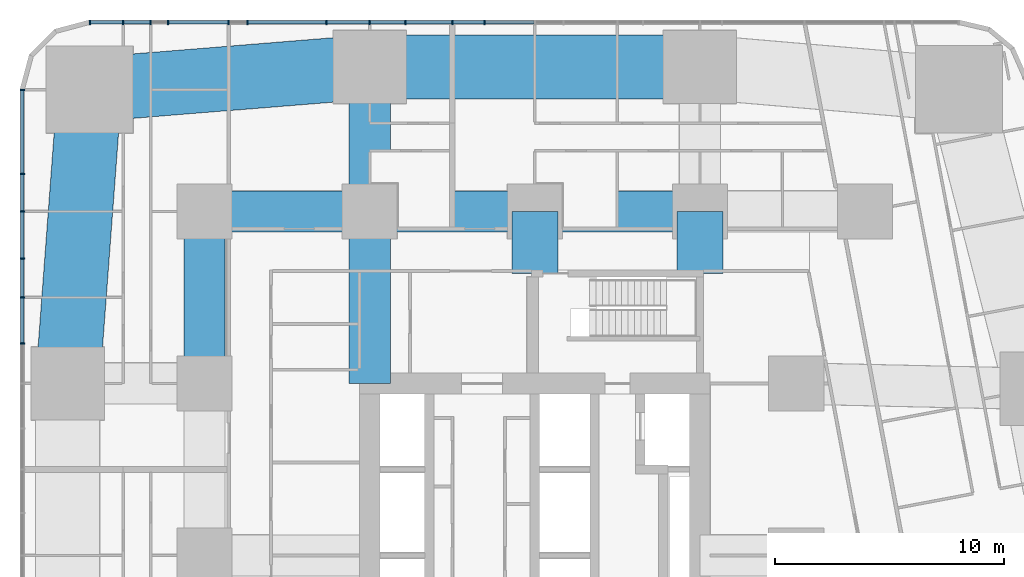
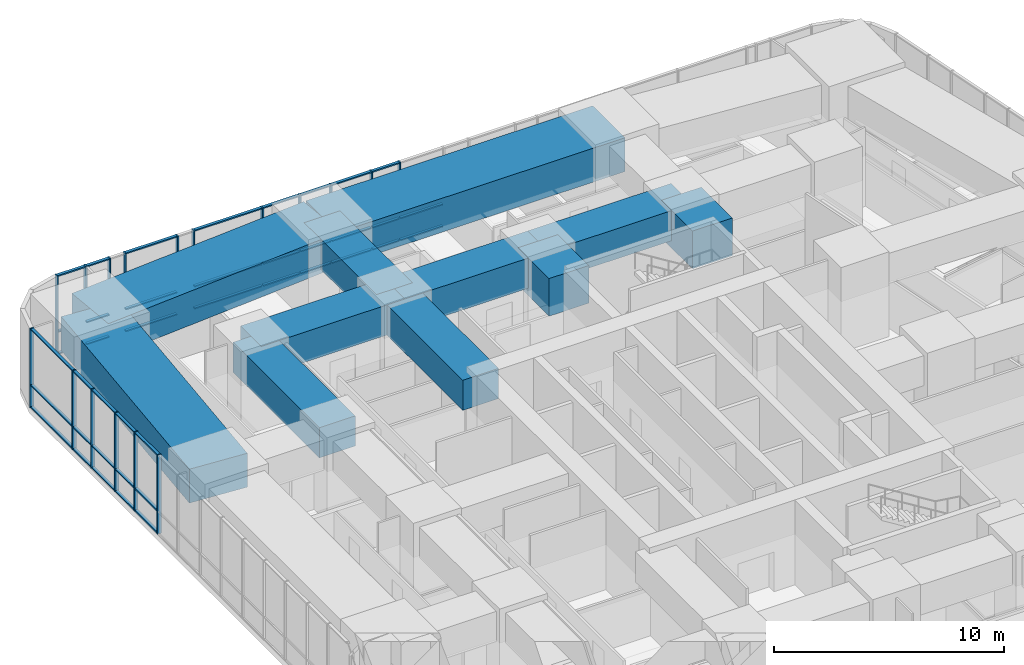
# One storey, part 7 of 23: 58 members, 11 beams, 2 elements without a shape of their own.
"""IFC4 building model written with IfcOpenShell, lengths in metres."""

from ifc_helpers import new_model, si_unit, direction, frame, origin, origin_2d, place, context, subcontext, project, spatial, rectangle, extrude, material, material_profile, profile_set, type_object, element, aggregate, save


model = new_model("IFC4")

# Units and contexts
model_context = context("Model", 3, precision=1e-05, world=origin(), true_north=direction((0.0, 1.0)))
body_context = subcontext(model_context, "Body", "Model", "MODEL_VIEW")
ifc_project = project(units=[si_unit("LENGTHUNIT", "METRE"), si_unit("AREAUNIT", "SQUARE_METRE"), si_unit("VOLUMEUNIT", "CUBIC_METRE"), si_unit("PLANEANGLEUNIT", "RADIAN"), si_unit("MASSUNIT", "GRAM", prefix="KILO")], contexts=[model_context])

# Site, building, storey
site_placement = place(None, origin())
site = spatial("IfcSite", under=ifc_project, at=site_placement, CompositionType="ELEMENT")
building_placement = place(site_placement, origin())
building = spatial("IfcBuilding", under=site, at=building_placement, Name="Sheger Commons Tower", CompositionType="ELEMENT")
storey_placement = place(building_placement, frame((0.0, 0.0, 5.60009765625)))
storey = spatial("IfcBuildingStorey", under=building, at=storey_placement, Name="L01", CompositionType="ELEMENT", Elevation=5.60009765625)

# Beams
ifc_material_1 = material(Name="Concrete C50/60", Category="concrete")
ifc_material_profile_1 = material_profile(ifc_material_1, rectangle(XDim=1.800048828125, YDim=1.60009765625, at=origin_2d()), Name="RC 1800x1600")
ifc_profile_set_1 = profile_set([ifc_material_profile_1], Name="Concrete C50/60")
beam_type_1 = type_object("IfcBeamType", Name="BEAM RC 1800x1600", PredefinedType="BEAM", material=ifc_profile_set_1)
beam_1_placement = place(storey_placement, frame((7.199951171875, 37.5, 3.39990234375), z_axis=(1.0, 0.0, 0.0), x_axis=(0.0, 1.0, 0.0)))
element("IfcBeam", 1, at=beam_1_placement, inside=storey, type_object=beam_type_1, Name="Beam 2/F-3/F under L02", PredefinedType="BEAM", context=body_context, shape_type="SweptSolid", body=[
    extrude(rectangle(XDim=1.800048828125, YDim=1.60009765625, at=origin_2d()), origin(), (0.0, 0.0, 1.0), 7.199951171875),
])
beam_2_placement = place(storey_placement, frame((14.39990234375, 37.5, 3.39990234375), z_axis=(1.0, 0.0, 0.0), x_axis=(0.0, 1.0, 0.0)))
element("IfcBeam", 2, at=beam_2_placement, inside=storey, type_object=beam_type_1, Name="Beam 3/F-4/F under L02", PredefinedType="BEAM", context=body_context, shape_type="SweptSolid", body=[
    extrude(rectangle(XDim=1.800048828125, YDim=1.60009765625, at=origin_2d()), origin(), (0.0, 0.0, 1.0), 7.2001953125),
])
beam_3_placement = place(storey_placement, frame((21.60009765625, 37.5, 3.39990234375), z_axis=(1.0, 0.0, 0.0), x_axis=(0.0, 1.0, 0.0)))
element("IfcBeam", 3, at=beam_3_placement, inside=storey, type_object=beam_type_1, Name="Beam 4/F-5/F under L02", PredefinedType="BEAM", context=body_context, shape_type="SweptSolid", body=[
    extrude(rectangle(XDim=1.800048828125, YDim=1.60009765625, at=origin_2d()), origin(), (0.0, 0.0, 1.0), 7.199951171875),
])
for number, where, z_axis, x_axis, name in (
    (4, (7.199951171875, 30.0, 3.39990234375), (0.0, 1.0, 0.0), (-1.0, 0.0, 0.0), "Beam 2/E-2/F under L02"),
    (5, (14.39990234375, 30.0, 3.39990234375), (0.0, 1.0, 0.0), (-1.0, 0.0, 0.0), "Beam 3/E-3/F under L02"),
):
    element("IfcBeam", number, at=place(storey_placement, frame(where, z_axis=z_axis, x_axis=x_axis)), inside=storey, type_object=beam_type_1, Name=name, PredefinedType="BEAM", context=body_context, shape_type="SweptSolid", body=[
        extrude(rectangle(XDim=1.800048828125, YDim=1.60009765625, at=origin_2d()), origin(), (0.0, 0.0, 1.0), 7.5),
    ])
beam_4_placement = place(storey_placement, frame((14.39990234375, 37.5, 3.39990234375), z_axis=(0.0, 1.0, 0.0), x_axis=(-1.0, 0.0, 0.0)))
element("IfcBeam", 6, at=beam_4_placement, inside=storey, type_object=beam_type_1, Name="Beam 3/F-3/G under L02", PredefinedType="BEAM", context=body_context, shape_type="SweptSolid", body=[
    extrude(rectangle(XDim=1.800048828125, YDim=1.60009765625, at=origin_2d()), origin(), (0.0, 0.0, 1.0), 6.300048828125),
])
ifc_material_2 = material(Name="Concrete C50/60", Category="concrete")
ifc_material_profile_2 = material_profile(ifc_material_2, rectangle(XDim=2.0, YDim=2.0, at=origin_2d()), Name="RC 2000x2000")
ifc_profile_set_2 = profile_set([ifc_material_profile_2], Name="Concrete C50/60")
beam_type_2 = type_object("IfcBeamType", Name="BEAM RC 2000x2000", PredefinedType="BEAM", material=ifc_profile_set_2)
for number, where, z_axis, x_axis, name in (
    (7, (21.60009765625, 34.800048828125, 3.199951171875), (0.0, 1.0, 0.0), (-1.0, 0.0, 0.0), "Beam 21.600,34.800-4/F under L02"),
    (8, (28.800048828125, 34.800048828125, 3.199951171875), (0.0, 1.0, 0.0), (-1.0, 0.0, 0.0), "Beam 28.800,34.800-5/F under L02"),
):
    element("IfcBeam", number, at=place(storey_placement, frame(where, z_axis=z_axis, x_axis=x_axis)), inside=storey, type_object=beam_type_2, Name=name, PredefinedType="BEAM", context=body_context, shape_type="SweptSolid", body=[
        extrude(rectangle(XDim=2.0, YDim=2.0, at=origin_2d()), origin(), (0.0, 0.0, 1.0), 2.699951171875),
    ])

# Curtain wall, members
ifc_material_3 = material(Name="Black aluminium curtain wall, dark tinted glazing", Category="aluminium")
curtain_wall_type = type_object("IfcCurtainWallType", Name="CURTAIN WALL CW2 HEALTH CENTRE", PredefinedType="USERDEFINED", material=ifc_material_3)
curtain_wall_1_placement = place(storey_placement, origin())
curtain_wall_1 = element("IfcCurtainWall", 9, at=curtain_wall_1_placement, inside=storey, type_object=curtain_wall_type, Name="Curtain Wall Cw2 Health Centre N1 L01", ObjectType="STICK CURTAIN WALL", PredefinedType="USERDEFINED")
ifc_material_4 = material(Name="Black anodised aluminium", Category="aluminium")
ifc_material_profile_3 = material_profile(ifc_material_4, rectangle(XDim=0.199951171875, YDim=0.06494140625, at=origin_2d()), Name="AL 65x200")
ifc_profile_set_3 = profile_set([ifc_material_profile_3], Name="Black anodised aluminium")
member_type_1 = type_object("IfcMemberType", Name="MULLION AL 65x200", PredefinedType="MULLION", material=ifc_profile_set_3)
member_1_placement = place(storey_placement, frame((19.409912109375, 45.75, 0.0), z_axis=(0.0, 0.0, 1.0), x_axis=(0.0, -1.0, 0.0)))
member_1 = element("IfcMember", 10, at=member_1_placement, type_object=member_type_1, Name="CW2 mullion 12", PredefinedType="MULLION", context=body_context, shape_type="SweptSolid", body=[
    extrude(rectangle(XDim=0.199951171875, YDim=0.06494140625, at=origin_2d()), origin(), (0.0, 0.0, 1.0), 4.199951171875),
])
member_2_placement = place(storey_placement, frame((18.0, 45.75, 0.0), z_axis=(0.0, 0.0, 1.0), x_axis=(0.0, -1.0, 0.0)))
member_2 = element("IfcMember", 11, at=member_2_placement, type_object=member_type_1, Name="CW2 mullion 13", PredefinedType="MULLION", context=body_context, shape_type="SweptSolid", body=[
    extrude(rectangle(XDim=0.199951171875, YDim=0.06494140625, at=origin_2d()), origin(), (0.0, 0.0, 1.0), 4.199951171875),
])
member_3_placement = place(storey_placement, frame((15.9599609375, 45.75, 0.0), z_axis=(0.0, 0.0, 1.0), x_axis=(0.0, -1.0, 0.0)))
member_3 = element("IfcMember", 12, at=member_3_placement, type_object=member_type_1, Name="CW2 mullion 14", PredefinedType="MULLION", context=body_context, shape_type="SweptSolid", body=[
    extrude(rectangle(XDim=0.199951171875, YDim=0.06494140625, at=origin_2d()), origin(), (0.0, 0.0, 1.0), 4.199951171875),
])
member_4_placement = place(storey_placement, frame((14.39990234375, 45.75, 0.0), z_axis=(0.0, 0.0, 1.0), x_axis=(0.0, -1.0, 0.0)))
member_4 = element("IfcMember", 13, at=member_4_placement, type_object=member_type_1, Name="CW2 mullion 15", PredefinedType="MULLION", context=body_context, shape_type="SweptSolid", body=[
    extrude(rectangle(XDim=0.199951171875, YDim=0.06494140625, at=origin_2d()), origin(), (0.0, 0.0, 1.0), 4.199951171875),
])
member_5_placement = place(storey_placement, frame((12.510986328125, 45.75, 0.0), z_axis=(0.0, 0.0, 1.0), x_axis=(0.0, -1.0, 0.0)))
member_5 = element("IfcMember", 14, at=member_5_placement, type_object=member_type_1, Name="CW2 mullion 16", PredefinedType="MULLION", context=body_context, shape_type="SweptSolid", body=[
    extrude(rectangle(XDim=0.199951171875, YDim=0.06494140625, at=origin_2d()), origin(), (0.0, 0.0, 1.0), 4.199951171875),
])
member_6_placement = place(storey_placement, frame((9.06201171875, 45.75, 0.0), z_axis=(0.0, 0.0, 1.0), x_axis=(0.0, -1.0, 0.0)))
member_6 = element("IfcMember", 15, at=member_6_placement, type_object=member_type_1, Name="CW2 mullion 17", PredefinedType="MULLION", context=body_context, shape_type="SweptSolid", body=[
    extrude(rectangle(XDim=0.199951171875, YDim=0.06494140625, at=origin_2d()), origin(), (0.0, 0.0, 1.0), 4.199951171875),
])
member_7_placement = place(storey_placement, frame((8.25, 45.75, 0.0), z_axis=(0.0, 0.0, 1.0), x_axis=(0.0, -1.0, 0.0)))
member_7 = element("IfcMember", 16, at=member_7_placement, type_object=member_type_1, Name="CW2 mullion 18", PredefinedType="MULLION", context=body_context, shape_type="SweptSolid", body=[
    extrude(rectangle(XDim=0.199951171875, YDim=0.06494140625, at=origin_2d()), origin(), (0.0, 0.0, 1.0), 4.199951171875),
])
member_8_placement = place(storey_placement, frame((5.612060546875, 45.75, 0.0), z_axis=(0.0, 0.0, 1.0), x_axis=(0.0, -1.0, 0.0)))
member_8 = element("IfcMember", 17, at=member_8_placement, type_object=member_type_1, Name="CW2 mullion 19", PredefinedType="MULLION", context=body_context, shape_type="SweptSolid", body=[
    extrude(rectangle(XDim=0.199951171875, YDim=0.06494140625, at=origin_2d()), origin(), (0.0, 0.0, 1.0), 4.199951171875),
])
member_9_placement = place(storey_placement, frame((4.85009765625, 45.75, 0.0), z_axis=(0.0, 0.0, 1.0), x_axis=(0.0, -1.0, 0.0)))
member_9 = element("IfcMember", 18, at=member_9_placement, type_object=member_type_1, Name="CW2 mullion 20", PredefinedType="MULLION", context=body_context, shape_type="SweptSolid", body=[
    extrude(rectangle(XDim=0.199951171875, YDim=0.06494140625, at=origin_2d()), origin(), (0.0, 0.0, 1.0), 4.199951171875),
])
member_10_placement = place(storey_placement, frame((3.64990234375, 45.75, 0.0), z_axis=(0.0, 0.0, 1.0), x_axis=(0.0, -1.0, 0.0)))
member_10 = element("IfcMember", 19, at=member_10_placement, type_object=member_type_1, Name="CW2 mullion 21", PredefinedType="MULLION", context=body_context, shape_type="SweptSolid", body=[
    extrude(rectangle(XDim=0.199951171875, YDim=0.06494140625, at=origin_2d()), origin(), (0.0, 0.0, 1.0), 4.199951171875),
])
member_11_placement = place(storey_placement, frame((2.195556640625, 45.75, 0.0), z_axis=(0.0, 0.0, 1.0), x_axis=(0.0, -1.0, 0.0)))
member_11 = element("IfcMember", 20, at=member_11_placement, type_object=member_type_1, Name="CW2 mullion 22", PredefinedType="MULLION", context=body_context, shape_type="SweptSolid", body=[
    extrude(rectangle(XDim=0.199951171875, YDim=0.06494140625, at=origin_2d()), origin(), (0.0, 0.0, 1.0), 4.199951171875),
])

curtain_wall_2_placement = place(storey_placement, origin())
curtain_wall_2 = element("IfcCurtainWall", 21, at=curtain_wall_2_placement, inside=storey, type_object=curtain_wall_type, Name="Curtain Wall Cw2 Health Centre W1 L01", ObjectType="STICK CURTAIN WALL", PredefinedType="USERDEFINED")
member_12_placement = place(storey_placement, frame((-0.75, 42.804443359375, 0.0), z_axis=(0.0, 0.0, 1.0), x_axis=(1.0, 0.0, 0.0)))
member_12 = element("IfcMember", 22, at=member_12_placement, type_object=member_type_1, Name="CW2 mullion 1", PredefinedType="MULLION", context=body_context, shape_type="SweptSolid", body=[
    extrude(rectangle(XDim=0.199951171875, YDim=0.06494140625, at=origin_2d()), origin(), (0.0, 0.0, 1.0), 4.199951171875),
])
member_13_placement = place(storey_placement, frame((-0.75, 39.138916015625, 0.0), z_axis=(0.0, 0.0, 1.0), x_axis=(1.0, 0.0, 0.0)))
member_13 = element("IfcMember", 23, at=member_13_placement, type_object=member_type_1, Name="CW2 mullion 2", PredefinedType="MULLION", context=body_context, shape_type="SweptSolid", body=[
    extrude(rectangle(XDim=0.199951171875, YDim=0.06494140625, at=origin_2d()), origin(), (0.0, 0.0, 1.0), 4.199951171875),
])
member_14_placement = place(storey_placement, frame((-0.75, 37.5, 0.0), z_axis=(0.0, 0.0, 1.0), x_axis=(1.0, 0.0, 0.0)))
member_14 = element("IfcMember", 24, at=member_14_placement, type_object=member_type_1, Name="CW2 mullion 3", PredefinedType="MULLION", context=body_context, shape_type="SweptSolid", body=[
    extrude(rectangle(XDim=0.199951171875, YDim=0.06494140625, at=origin_2d()), origin(), (0.0, 0.0, 1.0), 4.199951171875),
])
member_15_placement = place(storey_placement, frame((-0.75, 35.44189453125, 0.0), z_axis=(0.0, 0.0, 1.0), x_axis=(1.0, 0.0, 0.0)))
member_15 = element("IfcMember", 25, at=member_15_placement, type_object=member_type_1, Name="CW2 mullion 4", PredefinedType="MULLION", context=body_context, shape_type="SweptSolid", body=[
    extrude(rectangle(XDim=0.199951171875, YDim=0.06494140625, at=origin_2d()), origin(), (0.0, 0.0, 1.0), 4.199951171875),
])
member_16_placement = place(storey_placement, frame((-0.75, 33.75, 0.0), z_axis=(0.0, 0.0, 1.0), x_axis=(1.0, 0.0, 0.0)))
member_16 = element("IfcMember", 26, at=member_16_placement, type_object=member_type_1, Name="CW2 mullion 5", PredefinedType="MULLION", context=body_context, shape_type="SweptSolid", body=[
    extrude(rectangle(XDim=0.199951171875, YDim=0.06494140625, at=origin_2d()), origin(), (0.0, 0.0, 1.0), 4.199951171875),
])
member_17_placement = place(storey_placement, frame((-0.75, 31.743896484375, 0.0), z_axis=(0.0, 0.0, 1.0), x_axis=(1.0, 0.0, 0.0)))
member_17 = element("IfcMember", 27, at=member_17_placement, type_object=member_type_1, Name="CW2 mullion 6", PredefinedType="MULLION", context=body_context, shape_type="SweptSolid", body=[
    extrude(rectangle(XDim=0.199951171875, YDim=0.06494140625, at=origin_2d()), origin(), (0.0, 0.0, 1.0), 4.199951171875),
])

# Beams
ifc_material_5 = material(Name="Concrete C50/60", Category="concrete")
ifc_material_profile_4 = material_profile(ifc_material_5, rectangle(XDim=2.800048828125, YDim=1.800048828125, at=origin_2d()), Name="RC 2800x1800")
ifc_profile_set_4 = profile_set([ifc_material_profile_4], Name="Concrete C50/60")
beam_type_3 = type_object("IfcBeamType", Name="SPANDREL RC 2800x1800", PredefinedType="SPANDREL", material=ifc_profile_set_4)
beam_5_placement = place(storey_placement, frame((28.800048828125, 43.800048828125, 3.2998046875), z_axis=(-1.0, 0.0, 0.0), x_axis=(0.0, -1.0, 0.0)))
element("IfcBeam", 28, at=beam_5_placement, inside=storey, type_object=beam_type_3, Name="Beam 5/G-3/G under L02", PredefinedType="SPANDREL", context=body_context, shape_type="SweptSolid", body=[
    extrude(rectangle(XDim=2.800048828125, YDim=1.800048828125, at=origin_2d()), origin(), (0.0, 0.0, 1.0), 14.400146484375),
])
beam_6_placement = place(storey_placement, frame((14.39990234375, 43.800048828125, 3.2998046875), z_axis=(-0.996756793053, -0.080472948891, 0.0), x_axis=(0.080472948891, -0.996756793053, 0.0)))
element("IfcBeam", 29, at=beam_6_placement, inside=storey, type_object=beam_type_3, Name="Beam 3/G-0.630,44.370 under L02", PredefinedType="SPANDREL", context=body_context, shape_type="SweptSolid", body=[
    extrude(rectangle(XDim=2.800048828125, YDim=1.800048828125, at=origin_2d()), origin(), (0.0, 0.0, 1.0), 12.253662109375),
])
beam_7_placement = place(storey_placement, frame((2.18603515625, 42.81396484375, 3.2998046875), z_axis=(-0.074781446354, -0.997199947494, 0.0), x_axis=(0.997199947494, -0.074781446354, 0.0)))
element("IfcBeam", 30, at=beam_7_placement, inside=storey, type_object=beam_type_3, Name="Beam 0.630,44.370-1/E under L02", PredefinedType="SPANDREL", context=body_context, shape_type="SweptSolid", body=[
    extrude(rectangle(XDim=2.800048828125, YDim=1.800048828125, at=origin_2d()), origin(), (0.0, 0.0, 1.0), 12.849853515625),
])

# Member
ifc_material_6 = material(Name="Black anodised aluminium", Category="aluminium")
ifc_material_profile_5 = material_profile(ifc_material_6, rectangle(XDim=0.14990234375, YDim=0.06494140625, at=origin_2d()), Name="AL 65x150")
ifc_profile_set_5 = profile_set([ifc_material_profile_5], Name="Black anodised aluminium")
member_type_2 = type_object("IfcMemberType", Name="TRANSOM AL 65x150", PredefinedType="USERDEFINED", material=ifc_profile_set_5)
member_18_placement = place(storey_placement, frame((21.5673828125, 45.75, 0.032470703125), z_axis=(-1.0, 0.0, 0.0), x_axis=(0.0, -1.0, 0.0)))
member_18 = element("IfcMember", 31, at=member_18_placement, type_object=member_type_2, Name="CW2 transom 11.1", ObjectType="TRANSOM", PredefinedType="USERDEFINED", context=body_context, shape_type="SweptSolid", body=[
    extrude(rectangle(XDim=0.14990234375, YDim=0.06494140625, at=origin_2d()), origin(), (0.0, 0.0, 1.0), 2.125),
])

member_19_placement = place(storey_placement, frame((21.5673828125, 45.75, 1.199951171875), z_axis=(-1.0, 0.0, 0.0), x_axis=(0.0, -1.0, 0.0)))
member_19 = element("IfcMember", 32, at=member_19_placement, type_object=member_type_2, Name="CW2 transom 11.2", ObjectType="TRANSOM", PredefinedType="USERDEFINED", context=body_context, shape_type="SweptSolid", body=[
    extrude(rectangle(XDim=0.14990234375, YDim=0.06494140625, at=origin_2d()), origin(), (0.0, 0.0, 1.0), 2.125),
])

member_20_placement = place(storey_placement, frame((19.37744140625, 45.75, 0.032470703125), z_axis=(-1.0, 0.0, 0.0), x_axis=(0.0, -1.0, 0.0)))
member_20 = element("IfcMember", 33, at=member_20_placement, type_object=member_type_2, Name="CW2 transom 12.1", ObjectType="TRANSOM", PredefinedType="USERDEFINED", context=body_context, shape_type="SweptSolid", body=[
    extrude(rectangle(XDim=0.14990234375, YDim=0.06494140625, at=origin_2d()), origin(), (0.0, 0.0, 1.0), 1.344970703125),
])

member_21_placement = place(storey_placement, frame((19.37744140625, 45.75, 1.199951171875), z_axis=(-1.0, 0.0, 0.0), x_axis=(0.0, -1.0, 0.0)))
member_21 = element("IfcMember", 34, at=member_21_placement, type_object=member_type_2, Name="CW2 transom 12.2", ObjectType="TRANSOM", PredefinedType="USERDEFINED", context=body_context, shape_type="SweptSolid", body=[
    extrude(rectangle(XDim=0.14990234375, YDim=0.06494140625, at=origin_2d()), origin(), (0.0, 0.0, 1.0), 1.344970703125),
])

member_22_placement = place(storey_placement, frame((19.37744140625, 45.75, 4.16748046875), z_axis=(-1.0, 0.0, 0.0), x_axis=(0.0, -1.0, 0.0)))
member_22 = element("IfcMember", 35, at=member_22_placement, type_object=member_type_2, Name="CW2 transom 12.3", ObjectType="TRANSOM", PredefinedType="USERDEFINED", context=body_context, shape_type="SweptSolid", body=[
    extrude(rectangle(XDim=0.14990234375, YDim=0.06494140625, at=origin_2d()), origin(), (0.0, 0.0, 1.0), 1.344970703125),
])

member_23_placement = place(storey_placement, frame((17.967529296875, 45.75, 0.032470703125), z_axis=(-1.0, 0.0, 0.0), x_axis=(0.0, -1.0, 0.0)))
member_23 = element("IfcMember", 36, at=member_23_placement, type_object=member_type_2, Name="CW2 transom 13.1", ObjectType="TRANSOM", PredefinedType="USERDEFINED", context=body_context, shape_type="SweptSolid", body=[
    extrude(rectangle(XDim=0.14990234375, YDim=0.06494140625, at=origin_2d()), origin(), (0.0, 0.0, 1.0), 1.97509765625),
])

member_24_placement = place(storey_placement, frame((17.967529296875, 45.75, 1.199951171875), z_axis=(-1.0, 0.0, 0.0), x_axis=(0.0, -1.0, 0.0)))
member_24 = element("IfcMember", 37, at=member_24_placement, type_object=member_type_2, Name="CW2 transom 13.2", ObjectType="TRANSOM", PredefinedType="USERDEFINED", context=body_context, shape_type="SweptSolid", body=[
    extrude(rectangle(XDim=0.14990234375, YDim=0.06494140625, at=origin_2d()), origin(), (0.0, 0.0, 1.0), 1.97509765625),
])

member_25_placement = place(storey_placement, frame((17.967529296875, 45.75, 4.16748046875), z_axis=(-1.0, 0.0, 0.0), x_axis=(0.0, -1.0, 0.0)))
member_25 = element("IfcMember", 38, at=member_25_placement, type_object=member_type_2, Name="CW2 transom 13.3", ObjectType="TRANSOM", PredefinedType="USERDEFINED", context=body_context, shape_type="SweptSolid", body=[
    extrude(rectangle(XDim=0.14990234375, YDim=0.06494140625, at=origin_2d()), origin(), (0.0, 0.0, 1.0), 1.97509765625),
])

member_26_placement = place(storey_placement, frame((15.927490234375, 45.75, 0.032470703125), z_axis=(-1.0, 0.0, 0.0), x_axis=(0.0, -1.0, 0.0)))
member_26 = element("IfcMember", 39, at=member_26_placement, type_object=member_type_2, Name="CW2 transom 14.1", ObjectType="TRANSOM", PredefinedType="USERDEFINED", context=body_context, shape_type="SweptSolid", body=[
    extrude(rectangle(XDim=0.14990234375, YDim=0.06494140625, at=origin_2d()), origin(), (0.0, 0.0, 1.0), 1.494873046875),
])

member_27_placement = place(storey_placement, frame((15.927490234375, 45.75, 1.199951171875), z_axis=(-1.0, 0.0, 0.0), x_axis=(0.0, -1.0, 0.0)))
member_27 = element("IfcMember", 40, at=member_27_placement, type_object=member_type_2, Name="CW2 transom 14.2", ObjectType="TRANSOM", PredefinedType="USERDEFINED", context=body_context, shape_type="SweptSolid", body=[
    extrude(rectangle(XDim=0.14990234375, YDim=0.06494140625, at=origin_2d()), origin(), (0.0, 0.0, 1.0), 1.494873046875),
])

member_28_placement = place(storey_placement, frame((15.927490234375, 45.75, 4.16748046875), z_axis=(-1.0, 0.0, 0.0), x_axis=(0.0, -1.0, 0.0)))
member_28 = element("IfcMember", 41, at=member_28_placement, type_object=member_type_2, Name="CW2 transom 14.3", ObjectType="TRANSOM", PredefinedType="USERDEFINED", context=body_context, shape_type="SweptSolid", body=[
    extrude(rectangle(XDim=0.14990234375, YDim=0.06494140625, at=origin_2d()), origin(), (0.0, 0.0, 1.0), 1.494873046875),
])

member_29_placement = place(storey_placement, frame((14.367431640625, 45.75, 0.032470703125), z_axis=(-1.0, 0.0, 0.0), x_axis=(0.0, -1.0, 0.0)))
member_29 = element("IfcMember", 42, at=member_29_placement, type_object=member_type_2, Name="CW2 transom 15.1", ObjectType="TRANSOM", PredefinedType="USERDEFINED", context=body_context, shape_type="SweptSolid", body=[
    extrude(rectangle(XDim=0.14990234375, YDim=0.06494140625, at=origin_2d()), origin(), (0.0, 0.0, 1.0), 1.823974609375),
])

member_30_placement = place(storey_placement, frame((14.367431640625, 45.75, 1.199951171875), z_axis=(-1.0, 0.0, 0.0), x_axis=(0.0, -1.0, 0.0)))
member_30 = element("IfcMember", 43, at=member_30_placement, type_object=member_type_2, Name="CW2 transom 15.2", ObjectType="TRANSOM", PredefinedType="USERDEFINED", context=body_context, shape_type="SweptSolid", body=[
    extrude(rectangle(XDim=0.14990234375, YDim=0.06494140625, at=origin_2d()), origin(), (0.0, 0.0, 1.0), 1.823974609375),
])

member_31_placement = place(storey_placement, frame((14.367431640625, 45.75, 4.16748046875), z_axis=(-1.0, 0.0, 0.0), x_axis=(0.0, -1.0, 0.0)))
member_31 = element("IfcMember", 44, at=member_31_placement, type_object=member_type_2, Name="CW2 transom 15.3", ObjectType="TRANSOM", PredefinedType="USERDEFINED", context=body_context, shape_type="SweptSolid", body=[
    extrude(rectangle(XDim=0.14990234375, YDim=0.06494140625, at=origin_2d()), origin(), (0.0, 0.0, 1.0), 1.823974609375),
])

member_32_placement = place(storey_placement, frame((12.478515625, 45.75, 0.032470703125), z_axis=(-1.0, 0.0, 0.0), x_axis=(0.0, -1.0, 0.0)))
member_32 = element("IfcMember", 45, at=member_32_placement, type_object=member_type_2, Name="CW2 transom 16.1", ObjectType="TRANSOM", PredefinedType="USERDEFINED", context=body_context, shape_type="SweptSolid", body=[
    extrude(rectangle(XDim=0.14990234375, YDim=0.06494140625, at=origin_2d()), origin(), (0.0, 0.0, 1.0), 3.384033203125),
])

member_33_placement = place(storey_placement, frame((12.478515625, 45.75, 1.199951171875), z_axis=(-1.0, 0.0, 0.0), x_axis=(0.0, -1.0, 0.0)))
member_33 = element("IfcMember", 46, at=member_33_placement, type_object=member_type_2, Name="CW2 transom 16.2", ObjectType="TRANSOM", PredefinedType="USERDEFINED", context=body_context, shape_type="SweptSolid", body=[
    extrude(rectangle(XDim=0.14990234375, YDim=0.06494140625, at=origin_2d()), origin(), (0.0, 0.0, 1.0), 3.384033203125),
])

member_34_placement = place(storey_placement, frame((12.478515625, 45.75, 4.16748046875), z_axis=(-1.0, 0.0, 0.0), x_axis=(0.0, -1.0, 0.0)))
member_34 = element("IfcMember", 47, at=member_34_placement, type_object=member_type_2, Name="CW2 transom 16.3", ObjectType="TRANSOM", PredefinedType="USERDEFINED", context=body_context, shape_type="SweptSolid", body=[
    extrude(rectangle(XDim=0.14990234375, YDim=0.06494140625, at=origin_2d()), origin(), (0.0, 0.0, 1.0), 3.384033203125),
])

member_35_placement = place(storey_placement, frame((8.217529296875, 45.75, 0.032470703125), z_axis=(-1.0, 0.0, 0.0), x_axis=(0.0, -1.0, 0.0)))
member_35 = element("IfcMember", 48, at=member_35_placement, type_object=member_type_2, Name="CW2 transom 18.1", ObjectType="TRANSOM", PredefinedType="USERDEFINED", context=body_context, shape_type="SweptSolid", body=[
    extrude(rectangle(XDim=0.14990234375, YDim=0.06494140625, at=origin_2d()), origin(), (0.0, 0.0, 1.0), 2.572998046875),
])

member_36_placement = place(storey_placement, frame((8.217529296875, 45.75, 1.199951171875), z_axis=(-1.0, 0.0, 0.0), x_axis=(0.0, -1.0, 0.0)))
member_36 = element("IfcMember", 49, at=member_36_placement, type_object=member_type_2, Name="CW2 transom 18.2", ObjectType="TRANSOM", PredefinedType="USERDEFINED", context=body_context, shape_type="SweptSolid", body=[
    extrude(rectangle(XDim=0.14990234375, YDim=0.06494140625, at=origin_2d()), origin(), (0.0, 0.0, 1.0), 2.572998046875),
])

member_37_placement = place(storey_placement, frame((8.217529296875, 45.75, 4.16748046875), z_axis=(-1.0, 0.0, 0.0), x_axis=(0.0, -1.0, 0.0)))
member_37 = element("IfcMember", 50, at=member_37_placement, type_object=member_type_2, Name="CW2 transom 18.3", ObjectType="TRANSOM", PredefinedType="USERDEFINED", context=body_context, shape_type="SweptSolid", body=[
    extrude(rectangle(XDim=0.14990234375, YDim=0.06494140625, at=origin_2d()), origin(), (0.0, 0.0, 1.0), 2.572998046875),
])

member_38_placement = place(storey_placement, frame((4.8173828125, 45.75, 0.032470703125), z_axis=(-1.0, 0.0, 0.0), x_axis=(0.0, -1.0, 0.0)))
member_38 = element("IfcMember", 51, at=member_38_placement, type_object=member_type_2, Name="CW2 transom 20.1", ObjectType="TRANSOM", PredefinedType="USERDEFINED", context=body_context, shape_type="SweptSolid", body=[
    extrude(rectangle(XDim=0.14990234375, YDim=0.06494140625, at=origin_2d()), origin(), (0.0, 0.0, 1.0), 1.134765625),
])

member_39_placement = place(storey_placement, frame((4.8173828125, 45.75, 1.199951171875), z_axis=(-1.0, 0.0, 0.0), x_axis=(0.0, -1.0, 0.0)))
member_39 = element("IfcMember", 52, at=member_39_placement, type_object=member_type_2, Name="CW2 transom 20.2", ObjectType="TRANSOM", PredefinedType="USERDEFINED", context=body_context, shape_type="SweptSolid", body=[
    extrude(rectangle(XDim=0.14990234375, YDim=0.06494140625, at=origin_2d()), origin(), (0.0, 0.0, 1.0), 1.134765625),
])

member_40_placement = place(storey_placement, frame((4.8173828125, 45.75, 4.16748046875), z_axis=(-1.0, 0.0, 0.0), x_axis=(0.0, -1.0, 0.0)))
member_40 = element("IfcMember", 53, at=member_40_placement, type_object=member_type_2, Name="CW2 transom 20.3", ObjectType="TRANSOM", PredefinedType="USERDEFINED", context=body_context, shape_type="SweptSolid", body=[
    extrude(rectangle(XDim=0.14990234375, YDim=0.06494140625, at=origin_2d()), origin(), (0.0, 0.0, 1.0), 1.134765625),
])

member_41_placement = place(storey_placement, frame((3.617431640625, 45.75, 0.032470703125), z_axis=(-1.0, 0.0, 0.0), x_axis=(0.0, -1.0, 0.0)))
member_41 = element("IfcMember", 54, at=member_41_placement, type_object=member_type_2, Name="CW2 transom 21.1", ObjectType="TRANSOM", PredefinedType="USERDEFINED", context=body_context, shape_type="SweptSolid", body=[
    extrude(rectangle(XDim=0.14990234375, YDim=0.06494140625, at=origin_2d()), origin(), (0.0, 0.0, 1.0), 1.389404296875),
])

member_42_placement = place(storey_placement, frame((3.617431640625, 45.75, 1.199951171875), z_axis=(-1.0, 0.0, 0.0), x_axis=(0.0, -1.0, 0.0)))
member_42 = element("IfcMember", 55, at=member_42_placement, type_object=member_type_2, Name="CW2 transom 21.2", ObjectType="TRANSOM", PredefinedType="USERDEFINED", context=body_context, shape_type="SweptSolid", body=[
    extrude(rectangle(XDim=0.14990234375, YDim=0.06494140625, at=origin_2d()), origin(), (0.0, 0.0, 1.0), 1.389404296875),
])

member_43_placement = place(storey_placement, frame((3.617431640625, 45.75, 4.16748046875), z_axis=(-1.0, 0.0, 0.0), x_axis=(0.0, -1.0, 0.0)))
member_43 = element("IfcMember", 56, at=member_43_placement, type_object=member_type_2, Name="CW2 transom 21.3", ObjectType="TRANSOM", PredefinedType="USERDEFINED", context=body_context, shape_type="SweptSolid", body=[
    extrude(rectangle(XDim=0.14990234375, YDim=0.06494140625, at=origin_2d()), origin(), (0.0, 0.0, 1.0), 1.389404296875),
])

aggregate(curtain_wall_1, [member_1, member_2, member_3, member_4, member_5, member_6, member_7, member_8, member_9, member_10, member_11, member_18, member_19, member_20, member_21, member_22, member_23, member_24, member_25, member_26, member_27, member_28, member_29, member_30, member_31, member_32, member_33, member_34, member_35, member_36, member_37, member_38, member_39, member_40, member_41, member_42, member_43])

member_44_placement = place(storey_placement, frame((-0.75, 42.77197265625, 0.032470703125), z_axis=(0.0, -1.0, 0.0), x_axis=(1.0, 0.0, 0.0)))
member_44 = element("IfcMember", 57, at=member_44_placement, type_object=member_type_2, Name="CW2 transom 1.1", ObjectType="TRANSOM", PredefinedType="USERDEFINED", context=body_context, shape_type="SweptSolid", body=[
    extrude(rectangle(XDim=0.14990234375, YDim=0.06494140625, at=origin_2d()), origin(), (0.0, 0.0, 1.0), 3.6005859375),
])

member_45_placement = place(storey_placement, frame((-0.75, 42.77197265625, 1.199951171875), z_axis=(0.0, -1.0, 0.0), x_axis=(1.0, 0.0, 0.0)))
member_45 = element("IfcMember", 58, at=member_45_placement, type_object=member_type_2, Name="CW2 transom 1.2", ObjectType="TRANSOM", PredefinedType="USERDEFINED", context=body_context, shape_type="SweptSolid", body=[
    extrude(rectangle(XDim=0.14990234375, YDim=0.06494140625, at=origin_2d()), origin(), (0.0, 0.0, 1.0), 3.6005859375),
])

member_46_placement = place(storey_placement, frame((-0.75, 42.77197265625, 4.16748046875), z_axis=(0.0, -1.0, 0.0), x_axis=(1.0, 0.0, 0.0)))
member_46 = element("IfcMember", 59, at=member_46_placement, type_object=member_type_2, Name="CW2 transom 1.3", ObjectType="TRANSOM", PredefinedType="USERDEFINED", context=body_context, shape_type="SweptSolid", body=[
    extrude(rectangle(XDim=0.14990234375, YDim=0.06494140625, at=origin_2d()), origin(), (0.0, 0.0, 1.0), 3.6005859375),
])

member_47_placement = place(storey_placement, frame((-0.75, 39.1064453125, 0.032470703125), z_axis=(0.0, -1.0, 0.0), x_axis=(1.0, 0.0, 0.0)))
member_47 = element("IfcMember", 60, at=member_47_placement, type_object=member_type_2, Name="CW2 transom 2.1", ObjectType="TRANSOM", PredefinedType="USERDEFINED", context=body_context, shape_type="SweptSolid", body=[
    extrude(rectangle(XDim=0.14990234375, YDim=0.06494140625, at=origin_2d()), origin(), (0.0, 0.0, 1.0), 1.573974609375),
])

member_48_placement = place(storey_placement, frame((-0.75, 39.1064453125, 1.199951171875), z_axis=(0.0, -1.0, 0.0), x_axis=(1.0, 0.0, 0.0)))
member_48 = element("IfcMember", 61, at=member_48_placement, type_object=member_type_2, Name="CW2 transom 2.2", ObjectType="TRANSOM", PredefinedType="USERDEFINED", context=body_context, shape_type="SweptSolid", body=[
    extrude(rectangle(XDim=0.14990234375, YDim=0.06494140625, at=origin_2d()), origin(), (0.0, 0.0, 1.0), 1.573974609375),
])

member_49_placement = place(storey_placement, frame((-0.75, 39.1064453125, 4.16748046875), z_axis=(0.0, -1.0, 0.0), x_axis=(1.0, 0.0, 0.0)))
member_49 = element("IfcMember", 62, at=member_49_placement, type_object=member_type_2, Name="CW2 transom 2.3", ObjectType="TRANSOM", PredefinedType="USERDEFINED", context=body_context, shape_type="SweptSolid", body=[
    extrude(rectangle(XDim=0.14990234375, YDim=0.06494140625, at=origin_2d()), origin(), (0.0, 0.0, 1.0), 1.573974609375),
])

member_50_placement = place(storey_placement, frame((-0.75, 37.467529296875, 0.032470703125), z_axis=(0.0, -1.0, 0.0), x_axis=(1.0, 0.0, 0.0)))
member_50 = element("IfcMember", 63, at=member_50_placement, type_object=member_type_2, Name="CW2 transom 3.1", ObjectType="TRANSOM", PredefinedType="USERDEFINED", context=body_context, shape_type="SweptSolid", body=[
    extrude(rectangle(XDim=0.14990234375, YDim=0.06494140625, at=origin_2d()), origin(), (0.0, 0.0, 1.0), 1.992919921875),
])

member_51_placement = place(storey_placement, frame((-0.75, 37.467529296875, 1.199951171875), z_axis=(0.0, -1.0, 0.0), x_axis=(1.0, 0.0, 0.0)))
member_51 = element("IfcMember", 64, at=member_51_placement, type_object=member_type_2, Name="CW2 transom 3.2", ObjectType="TRANSOM", PredefinedType="USERDEFINED", context=body_context, shape_type="SweptSolid", body=[
    extrude(rectangle(XDim=0.14990234375, YDim=0.06494140625, at=origin_2d()), origin(), (0.0, 0.0, 1.0), 1.992919921875),
])

member_52_placement = place(storey_placement, frame((-0.75, 37.467529296875, 4.16748046875), z_axis=(0.0, -1.0, 0.0), x_axis=(1.0, 0.0, 0.0)))
member_52 = element("IfcMember", 65, at=member_52_placement, type_object=member_type_2, Name="CW2 transom 3.3", ObjectType="TRANSOM", PredefinedType="USERDEFINED", context=body_context, shape_type="SweptSolid", body=[
    extrude(rectangle(XDim=0.14990234375, YDim=0.06494140625, at=origin_2d()), origin(), (0.0, 0.0, 1.0), 1.992919921875),
])

member_53_placement = place(storey_placement, frame((-0.75, 35.409423828125, 0.032470703125), z_axis=(0.0, -1.0, 0.0), x_axis=(1.0, 0.0, 0.0)))
member_53 = element("IfcMember", 66, at=member_53_placement, type_object=member_type_2, Name="CW2 transom 4.1", ObjectType="TRANSOM", PredefinedType="USERDEFINED", context=body_context, shape_type="SweptSolid", body=[
    extrude(rectangle(XDim=0.14990234375, YDim=0.06494140625, at=origin_2d()), origin(), (0.0, 0.0, 1.0), 1.626953125),
])

member_54_placement = place(storey_placement, frame((-0.75, 35.409423828125, 1.199951171875), z_axis=(0.0, -1.0, 0.0), x_axis=(1.0, 0.0, 0.0)))
member_54 = element("IfcMember", 67, at=member_54_placement, type_object=member_type_2, Name="CW2 transom 4.2", ObjectType="TRANSOM", PredefinedType="USERDEFINED", context=body_context, shape_type="SweptSolid", body=[
    extrude(rectangle(XDim=0.14990234375, YDim=0.06494140625, at=origin_2d()), origin(), (0.0, 0.0, 1.0), 1.626953125),
])

member_55_placement = place(storey_placement, frame((-0.75, 35.409423828125, 4.16748046875), z_axis=(0.0, -1.0, 0.0), x_axis=(1.0, 0.0, 0.0)))
member_55 = element("IfcMember", 68, at=member_55_placement, type_object=member_type_2, Name="CW2 transom 4.3", ObjectType="TRANSOM", PredefinedType="USERDEFINED", context=body_context, shape_type="SweptSolid", body=[
    extrude(rectangle(XDim=0.14990234375, YDim=0.06494140625, at=origin_2d()), origin(), (0.0, 0.0, 1.0), 1.626953125),
])

member_56_placement = place(storey_placement, frame((-0.75, 33.717529296875, 0.032470703125), z_axis=(0.0, -1.0, 0.0), x_axis=(1.0, 0.0, 0.0)))
member_56 = element("IfcMember", 69, at=member_56_placement, type_object=member_type_2, Name="CW2 transom 5.1", ObjectType="TRANSOM", PredefinedType="USERDEFINED", context=body_context, shape_type="SweptSolid", body=[
    extrude(rectangle(XDim=0.14990234375, YDim=0.06494140625, at=origin_2d()), origin(), (0.0, 0.0, 1.0), 1.94091796875),
])

member_57_placement = place(storey_placement, frame((-0.75, 33.717529296875, 1.199951171875), z_axis=(0.0, -1.0, 0.0), x_axis=(1.0, 0.0, 0.0)))
member_57 = element("IfcMember", 70, at=member_57_placement, type_object=member_type_2, Name="CW2 transom 5.2", ObjectType="TRANSOM", PredefinedType="USERDEFINED", context=body_context, shape_type="SweptSolid", body=[
    extrude(rectangle(XDim=0.14990234375, YDim=0.06494140625, at=origin_2d()), origin(), (0.0, 0.0, 1.0), 1.94091796875),
])

member_58_placement = place(storey_placement, frame((-0.75, 33.717529296875, 4.16748046875), z_axis=(0.0, -1.0, 0.0), x_axis=(1.0, 0.0, 0.0)))
member_58 = element("IfcMember", 71, at=member_58_placement, type_object=member_type_2, Name="CW2 transom 5.3", ObjectType="TRANSOM", PredefinedType="USERDEFINED", context=body_context, shape_type="SweptSolid", body=[
    extrude(rectangle(XDim=0.14990234375, YDim=0.06494140625, at=origin_2d()), origin(), (0.0, 0.0, 1.0), 1.94091796875),
])

aggregate(curtain_wall_2, [member_12, member_13, member_14, member_15, member_16, member_17, member_44, member_45, member_46, member_47, member_48, member_49, member_50, member_51, member_52, member_53, member_54, member_55, member_56, member_57, member_58])

save(model, "model.ifc")
